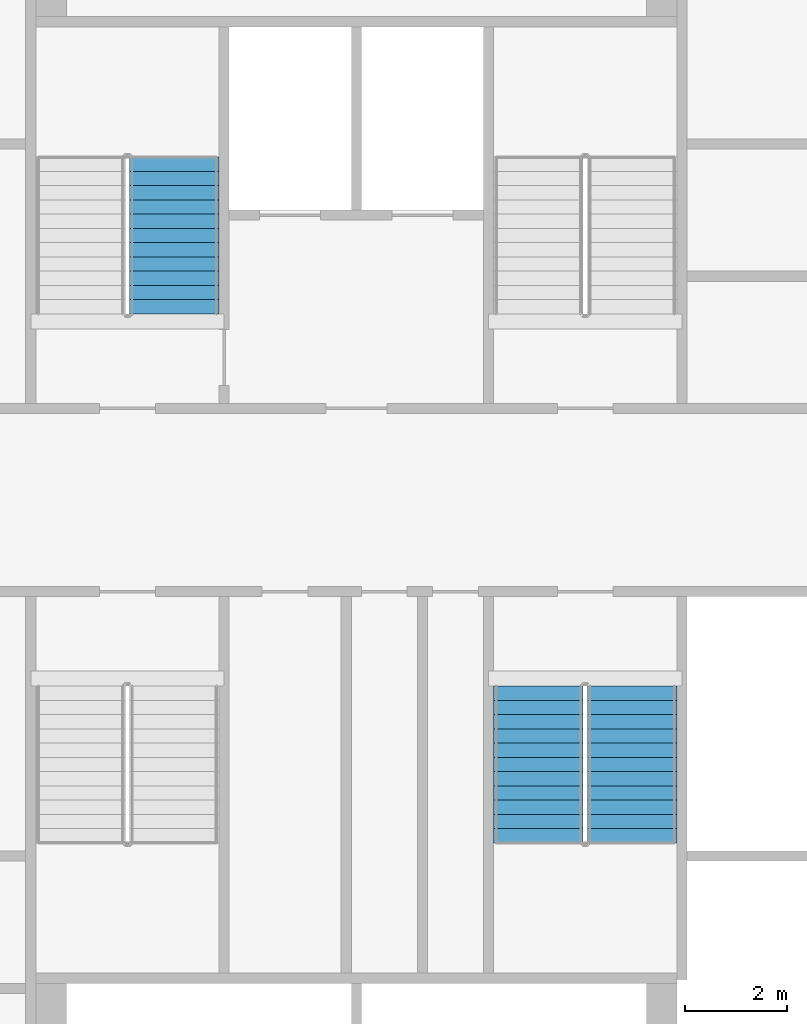
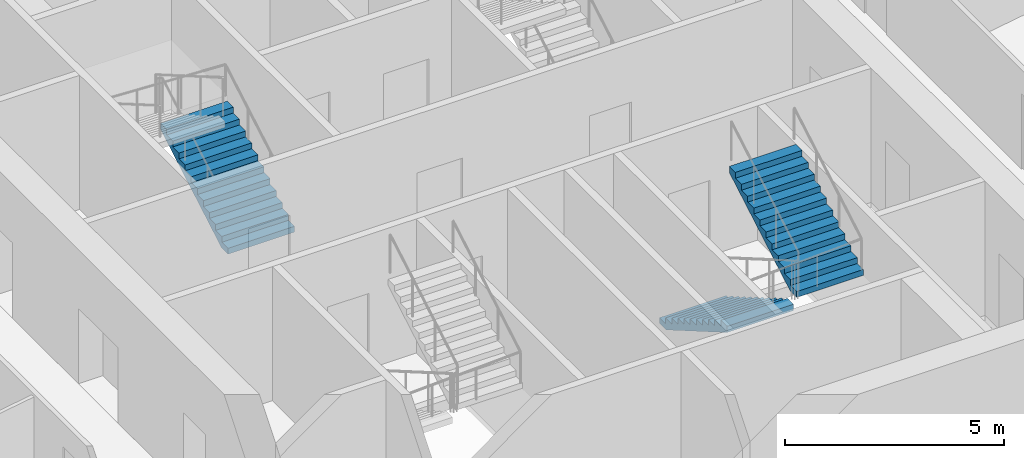
# One storey, part 15 of 21: 3 stair flights, 2 elements without a shape of their own.
"""IFC4 building model written with IfcOpenShell, lengths in metres."""

from ifc_helpers import new_model, si_unit, direction, frame, origin, place, context, subcontext, project, spatial, faceted_brep, material, type_object, element, aggregate, save


model = new_model("IFC4")

# Units and contexts
model_context = context("Model", 3, precision=1e-05, world=origin(), true_north=direction((0.0, 1.0)))
body_context = subcontext(model_context, "Body", "Model", "MODEL_VIEW")
ifc_project = project(units=[si_unit("LENGTHUNIT", "METRE"), si_unit("AREAUNIT", "SQUARE_METRE"), si_unit("VOLUMEUNIT", "CUBIC_METRE"), si_unit("PLANEANGLEUNIT", "RADIAN"), si_unit("MASSUNIT", "GRAM", prefix="KILO")], contexts=[model_context])

# Site, building, storey
site_placement = place(None, origin())
site = spatial("IfcSite", under=ifc_project, at=site_placement, CompositionType="ELEMENT")
building_placement = place(site_placement, origin())
building = spatial("IfcBuilding", under=site, at=building_placement, Name="Tarsis Ring Headquarters", CompositionType="ELEMENT")
storey_placement = place(building_placement, frame((0.0, 0.0, 171.0)))
storey = spatial("IfcBuildingStorey", under=building, at=storey_placement, Name="L39", CompositionType="ELEMENT", Elevation=171.0)

# Stair, stair flight
ifc_material_1 = material(Name="Core stair 1760")
stair_type = type_object("IfcStairType", Name="Core stair 1760", PredefinedType="HALF_TURN_STAIR", material=ifc_material_1)
stair_1_placement = place(storey_placement, origin())
stair_1 = element("IfcStair", 1, at=stair_1_placement, inside=storey, type_object=stair_type, Name="L39 Firefighting stair", PredefinedType="HALF_TURN_STAIR")
ifc_material_2 = material(Name="Concrete C40/50", Category="concrete")
stair_flight_type = type_object("IfcStairFlightType", Name="Core stair flight 1760", PredefinedType="STRAIGHT", material=ifc_material_2)
stair_flight_1_placement = place(storey_placement, frame((-3.580078125, 3.659912109375, 0.0), z_axis=(0.0, 0.0, 1.0), x_axis=(0.0, 1.0, 0.0)))
stair_flight_1 = element("IfcStairFlight", 2, at=stair_flight_1_placement, type_object=stair_flight_type, Name="Stair ST1 flight 1", NumberOfRisers=12, NumberOfTreads=11, PredefinedType="STRAIGHT", RiserHeight=0.1625, TreadLength=0.28, context=body_context, shape_type="Brep", body=[
    faceted_brep([(0.0, 0.8798828125, 0.0), (0.0, 0.8798828125, 0.16259765625), (0.280029296875, 0.8798828125, 0.16259765625), (0.280029296875, 0.8798828125, 0.324951171875), (0.56005859375, 0.8798828125, 0.324951171875), (0.56005859375, 0.8798828125, 0.487548828125), (0.840087890625, 0.8798828125, 0.487548828125), (0.840087890625, 0.8798828125, 0.64990234375), (1.1201171875, 0.8798828125, 0.64990234375), (1.1201171875, 0.8798828125, 0.8125), (1.39990234375, 0.8798828125, 0.8125), (1.39990234375, 0.8798828125, 0.97509765625), (1.679931640625, 0.8798828125, 0.97509765625), (1.679931640625, 0.8798828125, 1.137451171875), (1.9599609375, 0.8798828125, 1.137451171875), (1.9599609375, 0.8798828125, 1.300048828125), (2.239990234375, 0.8798828125, 1.300048828125), (2.239990234375, 0.8798828125, 1.46240234375), (2.52001953125, 0.8798828125, 1.46240234375), (2.52001953125, 0.8798828125, 1.625), (2.800048828125, 0.8798828125, 1.625), (2.800048828125, 0.8798828125, 1.78759765625), (3.080078125, 0.8798828125, 1.78759765625), (3.080078125, 0.8798828125, 1.6142578125), (0.298583984375, 0.8798828125, 0.0), (0.298583984375, -0.8798828125, 0.0), (3.080078125, -0.8798828125, 1.6142578125), (3.080078125, -0.8798828125, 1.78759765625), (2.800048828125, -0.8798828125, 1.78759765625), (2.800048828125, -0.8798828125, 1.625), (2.52001953125, -0.8798828125, 1.625), (2.52001953125, -0.8798828125, 1.46240234375), (2.239990234375, -0.8798828125, 1.46240234375), (2.239990234375, -0.8798828125, 1.300048828125), (1.9599609375, -0.8798828125, 1.300048828125), (1.9599609375, -0.8798828125, 1.137451171875), (1.679931640625, -0.8798828125, 1.137451171875), (1.679931640625, -0.8798828125, 0.97509765625), (1.39990234375, -0.8798828125, 0.97509765625), (1.39990234375, -0.8798828125, 0.8125), (1.1201171875, -0.8798828125, 0.8125), (1.1201171875, -0.8798828125, 0.64990234375), (0.840087890625, -0.8798828125, 0.64990234375), (0.840087890625, -0.8798828125, 0.487548828125), (0.56005859375, -0.8798828125, 0.487548828125), (0.56005859375, -0.8798828125, 0.324951171875), (0.280029296875, -0.8798828125, 0.324951171875), (0.280029296875, -0.8798828125, 0.16259765625), (0.0, -0.8798828125, 0.16259765625), (0.0, -0.8798828125, 0.0), (0.0, -0.43994140625, 0.16259765625), (0.0, -0.43994140625, 0.0), (0.0, 0.0, 0.16259765625), (0.0, 0.0, 0.0), (0.0, 0.43994140625, 0.16259765625), (0.0, 0.43994140625, 0.0), (0.280029296875, -0.43994140625, 0.16259765625), (0.280029296875, 0.0, 0.16259765625), (0.280029296875, 0.43994140625, 0.16259765625), (0.280029296875, -0.43994140625, 0.324951171875), (0.280029296875, 0.0, 0.324951171875), (0.280029296875, 0.43994140625, 0.324951171875), (0.56005859375, -0.43994140625, 0.324951171875), (0.56005859375, 0.0, 0.324951171875), (0.56005859375, 0.43994140625, 0.324951171875), (0.56005859375, -0.43994140625, 0.487548828125), (0.56005859375, 0.0, 0.487548828125), (0.56005859375, 0.43994140625, 0.487548828125), (0.840087890625, -0.43994140625, 0.487548828125), (0.840087890625, 0.0, 0.487548828125), (0.840087890625, 0.43994140625, 0.487548828125), (0.840087890625, -0.43994140625, 0.64990234375), (0.840087890625, 0.0, 0.64990234375), (0.840087890625, 0.43994140625, 0.64990234375), (1.1201171875, -0.43994140625, 0.64990234375), (1.1201171875, 0.0, 0.64990234375), (1.1201171875, 0.43994140625, 0.64990234375), (1.1201171875, -0.43994140625, 0.8125), (1.1201171875, 0.0, 0.8125), (1.1201171875, 0.43994140625, 0.8125), (1.39990234375, -0.43994140625, 0.8125), (1.39990234375, 0.0, 0.8125), (1.39990234375, 0.43994140625, 0.8125), (1.39990234375, -0.43994140625, 0.97509765625), (1.39990234375, 0.0, 0.97509765625), (1.39990234375, 0.43994140625, 0.97509765625), (1.679931640625, -0.43994140625, 0.97509765625), (1.679931640625, 0.0, 0.97509765625), (1.679931640625, 0.43994140625, 0.97509765625), (1.679931640625, -0.43994140625, 1.137451171875), (1.679931640625, 0.0, 1.137451171875), (1.679931640625, 0.43994140625, 1.137451171875), (1.9599609375, -0.43994140625, 1.137451171875), (1.9599609375, 0.0, 1.137451171875), (1.9599609375, 0.43994140625, 1.137451171875), (1.9599609375, -0.43994140625, 1.300048828125), (1.9599609375, 0.0, 1.300048828125), (1.9599609375, 0.43994140625, 1.300048828125), (2.239990234375, -0.43994140625, 1.300048828125), (2.239990234375, 0.0, 1.300048828125), (2.239990234375, 0.43994140625, 1.300048828125), (2.239990234375, -0.43994140625, 1.46240234375), (2.239990234375, 0.0, 1.46240234375), (2.239990234375, 0.43994140625, 1.46240234375), (2.52001953125, -0.43994140625, 1.46240234375), (2.52001953125, 0.0, 1.46240234375), (2.52001953125, 0.43994140625, 1.46240234375), (2.52001953125, -0.43994140625, 1.625), (2.52001953125, 0.0, 1.625), (2.52001953125, 0.43994140625, 1.625), (2.800048828125, -0.43994140625, 1.625), (2.800048828125, 0.0, 1.625), (2.800048828125, 0.43994140625, 1.625), (2.800048828125, -0.43994140625, 1.78759765625), (2.800048828125, 0.0, 1.78759765625), (2.800048828125, 0.43994140625, 1.78759765625), (3.080078125, -0.43994140625, 1.78759765625), (3.080078125, 0.0, 1.78759765625), (3.080078125, 0.43994140625, 1.78759765625), (3.080078125, -0.43994140625, 1.6142578125), (3.080078125, 0.0, 1.6142578125), (3.080078125, 0.43994140625, 1.6142578125), (0.298583984375, -0.43994140625, 0.0), (0.298583984375, 0.0, 0.0), (0.298583984375, 0.43994140625, 0.0)], [[[0, 1, 2, 3, 4, 5, 6, 7, 8, 9, 10, 11, 12, 13, 14, 15, 16, 17, 18, 19, 20, 21, 22, 23, 24]], [[25, 26, 27, 28, 29, 30, 31, 32, 33, 34, 35, 36, 37, 38, 39, 40, 41, 42, 43, 44, 45, 46, 47, 48, 49]], [[49, 48, 50, 51]], [[51, 50, 52, 53]], [[53, 52, 54, 55]], [[55, 54, 1, 0]], [[48, 47, 56, 50]], [[50, 56, 57, 52]], [[52, 57, 58, 54]], [[54, 58, 2, 1]], [[47, 46, 59, 56]], [[56, 59, 60, 57]], [[57, 60, 61, 58]], [[58, 61, 3, 2]], [[46, 45, 62, 59]], [[59, 62, 63, 60]], [[60, 63, 64, 61]], [[61, 64, 4, 3]], [[45, 44, 65, 62]], [[62, 65, 66, 63]], [[63, 66, 67, 64]], [[64, 67, 5, 4]], [[44, 43, 68, 65]], [[65, 68, 69, 66]], [[66, 69, 70, 67]], [[67, 70, 6, 5]], [[43, 42, 71, 68]], [[68, 71, 72, 69]], [[69, 72, 73, 70]], [[70, 73, 7, 6]], [[42, 41, 74, 71]], [[71, 74, 75, 72]], [[72, 75, 76, 73]], [[73, 76, 8, 7]], [[41, 40, 77, 74]], [[74, 77, 78, 75]], [[75, 78, 79, 76]], [[76, 79, 9, 8]], [[40, 39, 80, 77]], [[77, 80, 81, 78]], [[78, 81, 82, 79]], [[79, 82, 10, 9]], [[39, 38, 83, 80]], [[80, 83, 84, 81]], [[81, 84, 85, 82]], [[82, 85, 11, 10]], [[38, 37, 86, 83]], [[83, 86, 87, 84]], [[84, 87, 88, 85]], [[85, 88, 12, 11]], [[37, 36, 89, 86]], [[86, 89, 90, 87]], [[87, 90, 91, 88]], [[88, 91, 13, 12]], [[36, 35, 92, 89]], [[89, 92, 93, 90]], [[90, 93, 94, 91]], [[91, 94, 14, 13]], [[35, 34, 95, 92]], [[92, 95, 96, 93]], [[93, 96, 97, 94]], [[94, 97, 15, 14]], [[34, 33, 98, 95]], [[95, 98, 99, 96]], [[96, 99, 100, 97]], [[97, 100, 16, 15]], [[33, 32, 101, 98]], [[98, 101, 102, 99]], [[99, 102, 103, 100]], [[100, 103, 17, 16]], [[32, 31, 104, 101]], [[101, 104, 105, 102]], [[102, 105, 106, 103]], [[103, 106, 18, 17]], [[31, 30, 107, 104]], [[104, 107, 108, 105]], [[105, 108, 109, 106]], [[106, 109, 19, 18]], [[30, 29, 110, 107]], [[107, 110, 111, 108]], [[108, 111, 112, 109]], [[109, 112, 20, 19]], [[29, 28, 113, 110]], [[110, 113, 114, 111]], [[111, 114, 115, 112]], [[112, 115, 21, 20]], [[28, 27, 116, 113]], [[113, 116, 117, 114]], [[114, 117, 118, 115]], [[115, 118, 22, 21]], [[27, 26, 119, 116]], [[116, 119, 120, 117]], [[117, 120, 121, 118]], [[118, 121, 23, 22]], [[26, 25, 122, 119]], [[119, 122, 123, 120]], [[120, 123, 124, 121]], [[121, 124, 24, 23]], [[25, 49, 51, 122]], [[122, 51, 53, 123]], [[123, 53, 55, 124]], [[124, 55, 0, 24]]]),
])
aggregate(stair_1, [stair_flight_1])

# Stair, stair flights
stair_2_placement = place(storey_placement, origin())
stair_2 = element("IfcStair", 3, at=stair_2_placement, inside=storey, type_object=stair_type, Name="L39 Exit stair D", PredefinedType="HALF_TURN_STAIR")
stair_flight_2_placement = place(storey_placement, frame((3.580078125, -3.659912109375, 0.0), z_axis=(0.0, 0.0, 1.0), x_axis=(0.0, -1.0, 0.0)))
stair_flight_2 = element("IfcStairFlight", 4, at=stair_flight_2_placement, type_object=stair_flight_type, Name="Stair ST4 flight 1", NumberOfRisers=12, NumberOfTreads=11, PredefinedType="STRAIGHT", RiserHeight=0.1625, TreadLength=0.28, context=body_context, shape_type="Brep", body=[
    faceted_brep([(0.0, 0.8798828125, 0.0), (0.0, 0.8798828125, 0.16259765625), (0.280029296875, 0.8798828125, 0.16259765625), (0.280029296875, 0.8798828125, 0.324951171875), (0.56005859375, 0.8798828125, 0.324951171875), (0.56005859375, 0.8798828125, 0.487548828125), (0.840087890625, 0.8798828125, 0.487548828125), (0.840087890625, 0.8798828125, 0.64990234375), (1.1201171875, 0.8798828125, 0.64990234375), (1.1201171875, 0.8798828125, 0.8125), (1.39990234375, 0.8798828125, 0.8125), (1.39990234375, 0.8798828125, 0.97509765625), (1.679931640625, 0.8798828125, 0.97509765625), (1.679931640625, 0.8798828125, 1.137451171875), (1.9599609375, 0.8798828125, 1.137451171875), (1.9599609375, 0.8798828125, 1.300048828125), (2.239990234375, 0.8798828125, 1.300048828125), (2.239990234375, 0.8798828125, 1.46240234375), (2.52001953125, 0.8798828125, 1.46240234375), (2.52001953125, 0.8798828125, 1.625), (2.800048828125, 0.8798828125, 1.625), (2.800048828125, 0.8798828125, 1.78759765625), (3.080078125, 0.8798828125, 1.78759765625), (3.080078125, 0.8798828125, 1.6142578125), (0.298583984375, 0.8798828125, 0.0), (0.298583984375, -0.8798828125, 0.0), (3.080078125, -0.8798828125, 1.6142578125), (3.080078125, -0.8798828125, 1.78759765625), (2.800048828125, -0.8798828125, 1.78759765625), (2.800048828125, -0.8798828125, 1.625), (2.52001953125, -0.8798828125, 1.625), (2.52001953125, -0.8798828125, 1.46240234375), (2.239990234375, -0.8798828125, 1.46240234375), (2.239990234375, -0.8798828125, 1.300048828125), (1.9599609375, -0.8798828125, 1.300048828125), (1.9599609375, -0.8798828125, 1.137451171875), (1.679931640625, -0.8798828125, 1.137451171875), (1.679931640625, -0.8798828125, 0.97509765625), (1.39990234375, -0.8798828125, 0.97509765625), (1.39990234375, -0.8798828125, 0.8125), (1.1201171875, -0.8798828125, 0.8125), (1.1201171875, -0.8798828125, 0.64990234375), (0.840087890625, -0.8798828125, 0.64990234375), (0.840087890625, -0.8798828125, 0.487548828125), (0.56005859375, -0.8798828125, 0.487548828125), (0.56005859375, -0.8798828125, 0.324951171875), (0.280029296875, -0.8798828125, 0.324951171875), (0.280029296875, -0.8798828125, 0.16259765625), (0.0, -0.8798828125, 0.16259765625), (0.0, -0.8798828125, 0.0), (0.0, -0.43994140625, 0.16259765625), (0.0, -0.43994140625, 0.0), (0.0, 0.0, 0.16259765625), (0.0, 0.0, 0.0), (0.0, 0.43994140625, 0.16259765625), (0.0, 0.43994140625, 0.0), (0.280029296875, -0.43994140625, 0.16259765625), (0.280029296875, 0.0, 0.16259765625), (0.280029296875, 0.43994140625, 0.16259765625), (0.280029296875, -0.43994140625, 0.324951171875), (0.280029296875, 0.0, 0.324951171875), (0.280029296875, 0.43994140625, 0.324951171875), (0.56005859375, -0.43994140625, 0.324951171875), (0.56005859375, 0.0, 0.324951171875), (0.56005859375, 0.43994140625, 0.324951171875), (0.56005859375, -0.43994140625, 0.487548828125), (0.56005859375, 0.0, 0.487548828125), (0.56005859375, 0.43994140625, 0.487548828125), (0.840087890625, -0.43994140625, 0.487548828125), (0.840087890625, 0.0, 0.487548828125), (0.840087890625, 0.43994140625, 0.487548828125), (0.840087890625, -0.43994140625, 0.64990234375), (0.840087890625, 0.0, 0.64990234375), (0.840087890625, 0.43994140625, 0.64990234375), (1.1201171875, -0.43994140625, 0.64990234375), (1.1201171875, 0.0, 0.64990234375), (1.1201171875, 0.43994140625, 0.64990234375), (1.1201171875, -0.43994140625, 0.8125), (1.1201171875, 0.0, 0.8125), (1.1201171875, 0.43994140625, 0.8125), (1.39990234375, -0.43994140625, 0.8125), (1.39990234375, 0.0, 0.8125), (1.39990234375, 0.43994140625, 0.8125), (1.39990234375, -0.43994140625, 0.97509765625), (1.39990234375, 0.0, 0.97509765625), (1.39990234375, 0.43994140625, 0.97509765625), (1.679931640625, -0.43994140625, 0.97509765625), (1.679931640625, 0.0, 0.97509765625), (1.679931640625, 0.43994140625, 0.97509765625), (1.679931640625, -0.43994140625, 1.137451171875), (1.679931640625, 0.0, 1.137451171875), (1.679931640625, 0.43994140625, 1.137451171875), (1.9599609375, -0.43994140625, 1.137451171875), (1.9599609375, 0.0, 1.137451171875), (1.9599609375, 0.43994140625, 1.137451171875), (1.9599609375, -0.43994140625, 1.300048828125), (1.9599609375, 0.0, 1.300048828125), (1.9599609375, 0.43994140625, 1.300048828125), (2.239990234375, -0.43994140625, 1.300048828125), (2.239990234375, 0.0, 1.300048828125), (2.239990234375, 0.43994140625, 1.300048828125), (2.239990234375, -0.43994140625, 1.46240234375), (2.239990234375, 0.0, 1.46240234375), (2.239990234375, 0.43994140625, 1.46240234375), (2.52001953125, -0.43994140625, 1.46240234375), (2.52001953125, 0.0, 1.46240234375), (2.52001953125, 0.43994140625, 1.46240234375), (2.52001953125, -0.43994140625, 1.625), (2.52001953125, 0.0, 1.625), (2.52001953125, 0.43994140625, 1.625), (2.800048828125, -0.43994140625, 1.625), (2.800048828125, 0.0, 1.625), (2.800048828125, 0.43994140625, 1.625), (2.800048828125, -0.43994140625, 1.78759765625), (2.800048828125, 0.0, 1.78759765625), (2.800048828125, 0.43994140625, 1.78759765625), (3.080078125, -0.43994140625, 1.78759765625), (3.080078125, 0.0, 1.78759765625), (3.080078125, 0.43994140625, 1.78759765625), (3.080078125, -0.43994140625, 1.6142578125), (3.080078125, 0.0, 1.6142578125), (3.080078125, 0.43994140625, 1.6142578125), (0.298583984375, -0.43994140625, 0.0), (0.298583984375, 0.0, 0.0), (0.298583984375, 0.43994140625, 0.0)], [[[0, 1, 2, 3, 4, 5, 6, 7, 8, 9, 10, 11, 12, 13, 14, 15, 16, 17, 18, 19, 20, 21, 22, 23, 24]], [[25, 26, 27, 28, 29, 30, 31, 32, 33, 34, 35, 36, 37, 38, 39, 40, 41, 42, 43, 44, 45, 46, 47, 48, 49]], [[49, 48, 50, 51]], [[51, 50, 52, 53]], [[53, 52, 54, 55]], [[55, 54, 1, 0]], [[48, 47, 56, 50]], [[50, 56, 57, 52]], [[52, 57, 58, 54]], [[54, 58, 2, 1]], [[47, 46, 59, 56]], [[56, 59, 60, 57]], [[57, 60, 61, 58]], [[58, 61, 3, 2]], [[46, 45, 62, 59]], [[59, 62, 63, 60]], [[60, 63, 64, 61]], [[61, 64, 4, 3]], [[45, 44, 65, 62]], [[62, 65, 66, 63]], [[63, 66, 67, 64]], [[64, 67, 5, 4]], [[44, 43, 68, 65]], [[65, 68, 69, 66]], [[66, 69, 70, 67]], [[67, 70, 6, 5]], [[43, 42, 71, 68]], [[68, 71, 72, 69]], [[69, 72, 73, 70]], [[70, 73, 7, 6]], [[42, 41, 74, 71]], [[71, 74, 75, 72]], [[72, 75, 76, 73]], [[73, 76, 8, 7]], [[41, 40, 77, 74]], [[74, 77, 78, 75]], [[75, 78, 79, 76]], [[76, 79, 9, 8]], [[40, 39, 80, 77]], [[77, 80, 81, 78]], [[78, 81, 82, 79]], [[79, 82, 10, 9]], [[39, 38, 83, 80]], [[80, 83, 84, 81]], [[81, 84, 85, 82]], [[82, 85, 11, 10]], [[38, 37, 86, 83]], [[83, 86, 87, 84]], [[84, 87, 88, 85]], [[85, 88, 12, 11]], [[37, 36, 89, 86]], [[86, 89, 90, 87]], [[87, 90, 91, 88]], [[88, 91, 13, 12]], [[36, 35, 92, 89]], [[89, 92, 93, 90]], [[90, 93, 94, 91]], [[91, 94, 14, 13]], [[35, 34, 95, 92]], [[92, 95, 96, 93]], [[93, 96, 97, 94]], [[94, 97, 15, 14]], [[34, 33, 98, 95]], [[95, 98, 99, 96]], [[96, 99, 100, 97]], [[97, 100, 16, 15]], [[33, 32, 101, 98]], [[98, 101, 102, 99]], [[99, 102, 103, 100]], [[100, 103, 17, 16]], [[32, 31, 104, 101]], [[101, 104, 105, 102]], [[102, 105, 106, 103]], [[103, 106, 18, 17]], [[31, 30, 107, 104]], [[104, 107, 108, 105]], [[105, 108, 109, 106]], [[106, 109, 19, 18]], [[30, 29, 110, 107]], [[107, 110, 111, 108]], [[108, 111, 112, 109]], [[109, 112, 20, 19]], [[29, 28, 113, 110]], [[110, 113, 114, 111]], [[111, 114, 115, 112]], [[112, 115, 21, 20]], [[28, 27, 116, 113]], [[113, 116, 117, 114]], [[114, 117, 118, 115]], [[115, 118, 22, 21]], [[27, 26, 119, 116]], [[116, 119, 120, 117]], [[117, 120, 121, 118]], [[118, 121, 23, 22]], [[26, 25, 122, 119]], [[119, 122, 123, 120]], [[120, 123, 124, 121]], [[121, 124, 24, 23]], [[25, 49, 51, 122]], [[122, 51, 53, 123]], [[123, 53, 55, 124]], [[124, 55, 0, 24]]]),
])
stair_flight_3_placement = place(storey_placement, frame((5.419921875, -6.739990234375, 1.949951171875), z_axis=(0.0, 0.0, 1.0), x_axis=(0.0, 1.0, 0.0)))
stair_flight_3 = element("IfcStairFlight", 5, at=stair_flight_3_placement, type_object=stair_flight_type, Name="Stair ST4 flight 2", NumberOfRisers=12, NumberOfTreads=11, PredefinedType="STRAIGHT", RiserHeight=0.1625, TreadLength=0.28, context=body_context, shape_type="Brep", body=[
    faceted_brep([(0.0, 0.8798828125, 0.0), (0.0, 0.8798828125, 0.16259765625), (0.280029296875, 0.8798828125, 0.16259765625), (0.280029296875, 0.8798828125, 0.324951171875), (0.56005859375, 0.8798828125, 0.324951171875), (0.56005859375, 0.8798828125, 0.487548828125), (0.840087890625, 0.8798828125, 0.487548828125), (0.840087890625, 0.8798828125, 0.64990234375), (1.1201171875, 0.8798828125, 0.64990234375), (1.1201171875, 0.8798828125, 0.8125), (1.39990234375, 0.8798828125, 0.8125), (1.39990234375, 0.8798828125, 0.97509765625), (1.679931640625, 0.8798828125, 0.97509765625), (1.679931640625, 0.8798828125, 1.137451171875), (1.9599609375, 0.8798828125, 1.137451171875), (1.9599609375, 0.8798828125, 1.300048828125), (2.239990234375, 0.8798828125, 1.300048828125), (2.239990234375, 0.8798828125, 1.46240234375), (2.52001953125, 0.8798828125, 1.46240234375), (2.52001953125, 0.8798828125, 1.625), (2.800048828125, 0.8798828125, 1.625), (2.800048828125, 0.8798828125, 1.78759765625), (3.080078125, 0.8798828125, 1.78759765625), (3.080078125, 0.8798828125, 1.6142578125), (0.298583984375, 0.8798828125, 0.0), (0.298583984375, -0.8798828125, 0.0), (3.080078125, -0.8798828125, 1.6142578125), (3.080078125, -0.8798828125, 1.78759765625), (2.800048828125, -0.8798828125, 1.78759765625), (2.800048828125, -0.8798828125, 1.625), (2.52001953125, -0.8798828125, 1.625), (2.52001953125, -0.8798828125, 1.46240234375), (2.239990234375, -0.8798828125, 1.46240234375), (2.239990234375, -0.8798828125, 1.300048828125), (1.9599609375, -0.8798828125, 1.300048828125), (1.9599609375, -0.8798828125, 1.137451171875), (1.679931640625, -0.8798828125, 1.137451171875), (1.679931640625, -0.8798828125, 0.97509765625), (1.39990234375, -0.8798828125, 0.97509765625), (1.39990234375, -0.8798828125, 0.8125), (1.1201171875, -0.8798828125, 0.8125), (1.1201171875, -0.8798828125, 0.64990234375), (0.840087890625, -0.8798828125, 0.64990234375), (0.840087890625, -0.8798828125, 0.487548828125), (0.56005859375, -0.8798828125, 0.487548828125), (0.56005859375, -0.8798828125, 0.324951171875), (0.280029296875, -0.8798828125, 0.324951171875), (0.280029296875, -0.8798828125, 0.16259765625), (0.0, -0.8798828125, 0.16259765625), (0.0, -0.8798828125, 0.0), (0.0, -0.43994140625, 0.16259765625), (0.0, -0.43994140625, 0.0), (0.0, 0.0, 0.16259765625), (0.0, 0.0, 0.0), (0.0, 0.43994140625, 0.16259765625), (0.0, 0.43994140625, 0.0), (0.280029296875, -0.43994140625, 0.16259765625), (0.280029296875, 0.0, 0.16259765625), (0.280029296875, 0.43994140625, 0.16259765625), (0.280029296875, -0.43994140625, 0.324951171875), (0.280029296875, 0.0, 0.324951171875), (0.280029296875, 0.43994140625, 0.324951171875), (0.56005859375, -0.43994140625, 0.324951171875), (0.56005859375, 0.0, 0.324951171875), (0.56005859375, 0.43994140625, 0.324951171875), (0.56005859375, -0.43994140625, 0.487548828125), (0.56005859375, 0.0, 0.487548828125), (0.56005859375, 0.43994140625, 0.487548828125), (0.840087890625, -0.43994140625, 0.487548828125), (0.840087890625, 0.0, 0.487548828125), (0.840087890625, 0.43994140625, 0.487548828125), (0.840087890625, -0.43994140625, 0.64990234375), (0.840087890625, 0.0, 0.64990234375), (0.840087890625, 0.43994140625, 0.64990234375), (1.1201171875, -0.43994140625, 0.64990234375), (1.1201171875, 0.0, 0.64990234375), (1.1201171875, 0.43994140625, 0.64990234375), (1.1201171875, -0.43994140625, 0.8125), (1.1201171875, 0.0, 0.8125), (1.1201171875, 0.43994140625, 0.8125), (1.39990234375, -0.43994140625, 0.8125), (1.39990234375, 0.0, 0.8125), (1.39990234375, 0.43994140625, 0.8125), (1.39990234375, -0.43994140625, 0.97509765625), (1.39990234375, 0.0, 0.97509765625), (1.39990234375, 0.43994140625, 0.97509765625), (1.679931640625, -0.43994140625, 0.97509765625), (1.679931640625, 0.0, 0.97509765625), (1.679931640625, 0.43994140625, 0.97509765625), (1.679931640625, -0.43994140625, 1.137451171875), (1.679931640625, 0.0, 1.137451171875), (1.679931640625, 0.43994140625, 1.137451171875), (1.9599609375, -0.43994140625, 1.137451171875), (1.9599609375, 0.0, 1.137451171875), (1.9599609375, 0.43994140625, 1.137451171875), (1.9599609375, -0.43994140625, 1.300048828125), (1.9599609375, 0.0, 1.300048828125), (1.9599609375, 0.43994140625, 1.300048828125), (2.239990234375, -0.43994140625, 1.300048828125), (2.239990234375, 0.0, 1.300048828125), (2.239990234375, 0.43994140625, 1.300048828125), (2.239990234375, -0.43994140625, 1.46240234375), (2.239990234375, 0.0, 1.46240234375), (2.239990234375, 0.43994140625, 1.46240234375), (2.52001953125, -0.43994140625, 1.46240234375), (2.52001953125, 0.0, 1.46240234375), (2.52001953125, 0.43994140625, 1.46240234375), (2.52001953125, -0.43994140625, 1.625), (2.52001953125, 0.0, 1.625), (2.52001953125, 0.43994140625, 1.625), (2.800048828125, -0.43994140625, 1.625), (2.800048828125, 0.0, 1.625), (2.800048828125, 0.43994140625, 1.625), (2.800048828125, -0.43994140625, 1.78759765625), (2.800048828125, 0.0, 1.78759765625), (2.800048828125, 0.43994140625, 1.78759765625), (3.080078125, -0.43994140625, 1.78759765625), (3.080078125, 0.0, 1.78759765625), (3.080078125, 0.43994140625, 1.78759765625), (3.080078125, -0.43994140625, 1.6142578125), (3.080078125, 0.0, 1.6142578125), (3.080078125, 0.43994140625, 1.6142578125), (0.298583984375, -0.43994140625, 0.0), (0.298583984375, 0.0, 0.0), (0.298583984375, 0.43994140625, 0.0)], [[[0, 1, 2, 3, 4, 5, 6, 7, 8, 9, 10, 11, 12, 13, 14, 15, 16, 17, 18, 19, 20, 21, 22, 23, 24]], [[25, 26, 27, 28, 29, 30, 31, 32, 33, 34, 35, 36, 37, 38, 39, 40, 41, 42, 43, 44, 45, 46, 47, 48, 49]], [[49, 48, 50, 51]], [[51, 50, 52, 53]], [[53, 52, 54, 55]], [[55, 54, 1, 0]], [[48, 47, 56, 50]], [[50, 56, 57, 52]], [[52, 57, 58, 54]], [[54, 58, 2, 1]], [[47, 46, 59, 56]], [[56, 59, 60, 57]], [[57, 60, 61, 58]], [[58, 61, 3, 2]], [[46, 45, 62, 59]], [[59, 62, 63, 60]], [[60, 63, 64, 61]], [[61, 64, 4, 3]], [[45, 44, 65, 62]], [[62, 65, 66, 63]], [[63, 66, 67, 64]], [[64, 67, 5, 4]], [[44, 43, 68, 65]], [[65, 68, 69, 66]], [[66, 69, 70, 67]], [[67, 70, 6, 5]], [[43, 42, 71, 68]], [[68, 71, 72, 69]], [[69, 72, 73, 70]], [[70, 73, 7, 6]], [[42, 41, 74, 71]], [[71, 74, 75, 72]], [[72, 75, 76, 73]], [[73, 76, 8, 7]], [[41, 40, 77, 74]], [[74, 77, 78, 75]], [[75, 78, 79, 76]], [[76, 79, 9, 8]], [[40, 39, 80, 77]], [[77, 80, 81, 78]], [[78, 81, 82, 79]], [[79, 82, 10, 9]], [[39, 38, 83, 80]], [[80, 83, 84, 81]], [[81, 84, 85, 82]], [[82, 85, 11, 10]], [[38, 37, 86, 83]], [[83, 86, 87, 84]], [[84, 87, 88, 85]], [[85, 88, 12, 11]], [[37, 36, 89, 86]], [[86, 89, 90, 87]], [[87, 90, 91, 88]], [[88, 91, 13, 12]], [[36, 35, 92, 89]], [[89, 92, 93, 90]], [[90, 93, 94, 91]], [[91, 94, 14, 13]], [[35, 34, 95, 92]], [[92, 95, 96, 93]], [[93, 96, 97, 94]], [[94, 97, 15, 14]], [[34, 33, 98, 95]], [[95, 98, 99, 96]], [[96, 99, 100, 97]], [[97, 100, 16, 15]], [[33, 32, 101, 98]], [[98, 101, 102, 99]], [[99, 102, 103, 100]], [[100, 103, 17, 16]], [[32, 31, 104, 101]], [[101, 104, 105, 102]], [[102, 105, 106, 103]], [[103, 106, 18, 17]], [[31, 30, 107, 104]], [[104, 107, 108, 105]], [[105, 108, 109, 106]], [[106, 109, 19, 18]], [[30, 29, 110, 107]], [[107, 110, 111, 108]], [[108, 111, 112, 109]], [[109, 112, 20, 19]], [[29, 28, 113, 110]], [[110, 113, 114, 111]], [[111, 114, 115, 112]], [[112, 115, 21, 20]], [[28, 27, 116, 113]], [[113, 116, 117, 114]], [[114, 117, 118, 115]], [[115, 118, 22, 21]], [[27, 26, 119, 116]], [[116, 119, 120, 117]], [[117, 120, 121, 118]], [[118, 121, 23, 22]], [[26, 25, 122, 119]], [[119, 122, 123, 120]], [[120, 123, 124, 121]], [[121, 124, 24, 23]], [[25, 49, 51, 122]], [[122, 51, 53, 123]], [[123, 53, 55, 124]], [[124, 55, 0, 24]]]),
])
aggregate(stair_2, [stair_flight_2, stair_flight_3])

save(model, "model.ifc")
